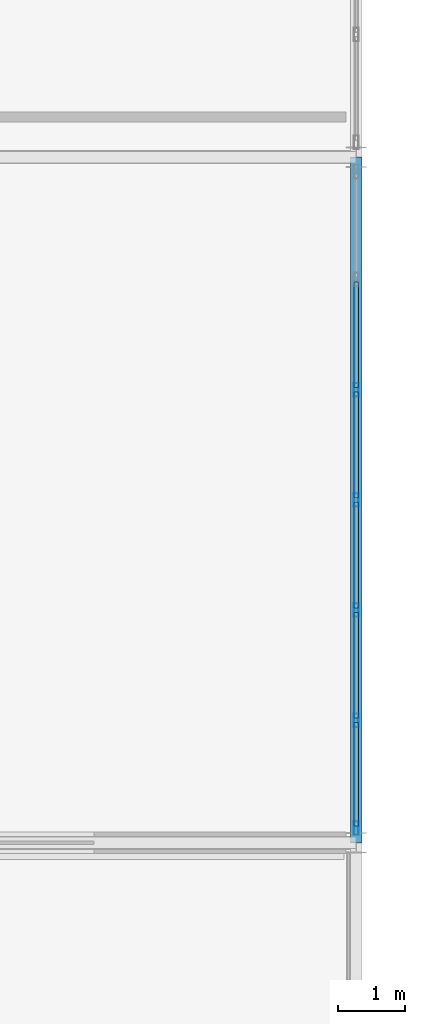
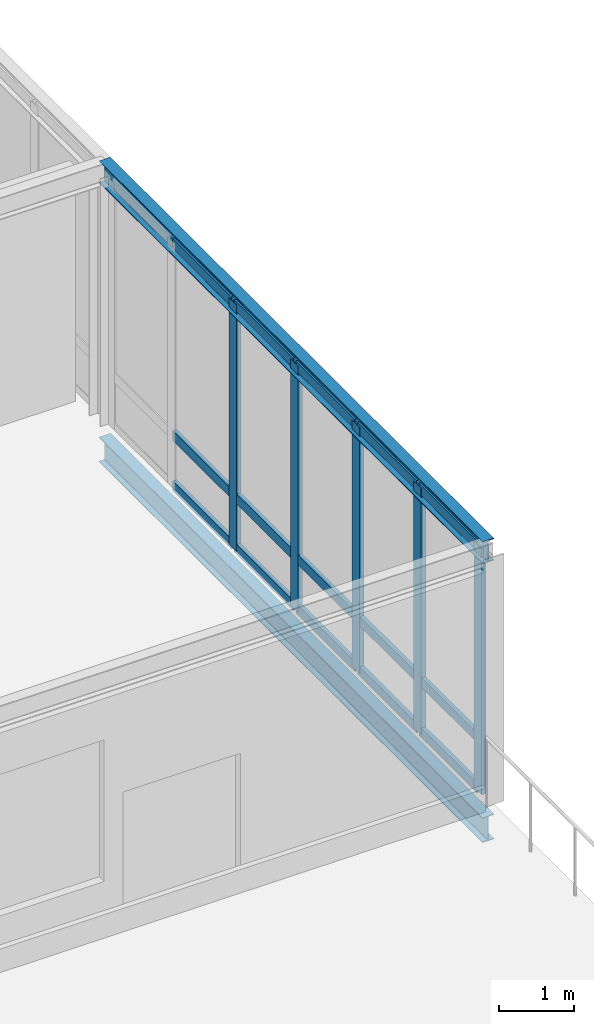
# One storey, part 128 of 185: 20 members, 2 beams, 1 element without a shape of its own.
"""IFC4 building model written with IfcOpenShell, lengths in metres."""

from ifc_helpers import new_model, si_unit, direction, frame, origin, origin_2d, place, context, subcontext, project, spatial, hollow_rectangle, i_section, extrude, material, material_profile, profile_set, type_object, element, aggregate, save


model = new_model("IFC4")

# Units and contexts
model_context = context("Model", 3, precision=1e-05, world=origin(), true_north=direction((0.0, 1.0)))
body_context = subcontext(model_context, "Body", "Model", "MODEL_VIEW")
ifc_project = project(units=[si_unit("LENGTHUNIT", "METRE"), si_unit("AREAUNIT", "SQUARE_METRE"), si_unit("VOLUMEUNIT", "CUBIC_METRE"), si_unit("PLANEANGLEUNIT", "RADIAN"), si_unit("MASSUNIT", "GRAM", prefix="KILO")], contexts=[model_context])

# Site, building, storey
site_placement = place(None, origin())
site = spatial("IfcSite", under=ifc_project, at=site_placement, CompositionType="ELEMENT")
building_placement = place(site_placement, origin())
building = spatial("IfcBuilding", under=site, at=building_placement, Name="Vondelvale Polytechnic", CompositionType="ELEMENT")
storey_placement = place(building_placement, frame((0.0, 0.0, 9.60009765625)))
storey = spatial("IfcBuildingStorey", under=building, at=storey_placement, Name="L02", CompositionType="ELEMENT", Elevation=9.60009765625)

# Beams
ifc_material_1 = material(Name="Steel 300PLUS (fy = 300 MPa)", Category="steel")
ifc_material_profile_1 = material_profile(ifc_material_1, i_section(OverallWidth=0.172119140625, OverallDepth=0.35888671875, WebThickness=0.008056640625, FlangeThickness=0.012939453125, FilletRadius=0.011474609375, at=origin_2d()), Name="360UB56.7")
ifc_profile_set_1 = profile_set([ifc_material_profile_1], Name="Steel 300PLUS (fy = 300 MPa)")
beam_type_1 = type_object("IfcBeamType", Name="BM-UB360H", PredefinedType="BEAM", material=ifc_profile_set_1)
beam_1_placement = place(storey_placement, frame((172.800048828125, 71.39990234375, 4.0205078125), z_axis=(0.0, 1.0, 0.0), x_axis=(-1.0, 0.0, 0.0)))
element("IfcBeam", 1, at=beam_1_placement, inside=storey, type_object=beam_type_1, Name="L02 RM B-15", PredefinedType="BEAM", context=body_context, shape_type="SweptSolid", body=[
    extrude(i_section(OverallWidth=0.172119140625, OverallDepth=0.35888671875, WebThickness=0.008056640625, FlangeThickness=0.012939453125, FilletRadius=0.011474609375, at=origin_2d()), origin(), (0.0, 0.0, 1.0), 10.2001953125),
])
ifc_material_profile_2 = material_profile(ifc_material_1, i_section(OverallWidth=0.177978515625, OverallDepth=0.406005859375, WebThickness=0.0078125, FlangeThickness=0.0126953125, FilletRadius=0.011474609375, at=origin_2d()), Name="410UB59.7")
ifc_profile_set_2 = profile_set([ifc_material_profile_2], Name="Steel 300PLUS (fy = 300 MPa)")
beam_type_2 = type_object("IfcBeamType", Name="BM-UB410", PredefinedType="BEAM", material=ifc_profile_set_2)
beam_2_placement = place(storey_placement, frame((172.800048828125, 71.39990234375, -0.483154296875), z_axis=(0.0, 1.0, 0.0), x_axis=(-1.0, 0.0, 0.0)))
element("IfcBeam", 2, at=beam_2_placement, inside=storey, type_object=beam_type_2, Name="L02 B B-14", PredefinedType="BEAM", context=body_context, shape_type="SweptSolid", body=[
    extrude(i_section(OverallWidth=0.177978515625, OverallDepth=0.406005859375, WebThickness=0.0078125, FlangeThickness=0.0126953125, FilletRadius=0.011474609375, at=origin_2d()), origin(), (0.0, 0.0, 1.0), 10.2001953125),
])

# Curtain wall, members
ifc_material_2 = material(Name="Anodised extruded aluminium 6063-T6", Category="aluminium")
curtain_wall_type = type_object("IfcCurtainWallType", Name="CW-REFECTORY", PredefinedType="NOTDEFINED", material=ifc_material_2)
curtain_wall_placement = place(storey_placement, origin())
curtain_wall = element("IfcCurtainWall", 3, at=curtain_wall_placement, inside=storey, type_object=curtain_wall_type, Name="L02 architectural curtain wall CW-05-393", PredefinedType="NOTDEFINED")
ifc_material_profile_3 = material_profile(ifc_material_2, hollow_rectangle(XDim=0.070068359375, YDim=0.199951171875, WallThickness=0.00390625, at=origin_2d()), Name="CW-MUL-200x70")
ifc_profile_set_3 = profile_set([ifc_material_profile_3], Name="Anodised extruded aluminium 6063-T6")
member_type_1 = type_object("IfcMemberType", Name="CW-MUL-70x200", PredefinedType="MULLION", material=ifc_profile_set_3)
member_1_placement = place(storey_placement, frame((172.800048828125, 71.618896484375, 0.0), z_axis=(0.0, 0.0, 1.0), x_axis=(-1.0, 0.0, 0.0)))
member_1 = element("IfcMember", 4, at=member_1_placement, type_object=member_type_1, Name="CW-05-393 mullion 1", PredefinedType="MULLION", context=body_context, shape_type="SweptSolid", body=[
    extrude(hollow_rectangle(XDim=0.070068359375, YDim=0.199951171875, WallThickness=0.00390625, at=origin_2d()), origin(), (0.0, 0.0, 1.0), 4.0),
])
member_2_placement = place(storey_placement, frame((172.800048828125, 73.22265625, 0.0), z_axis=(0.0, 0.0, 1.0), x_axis=(-1.0, 0.0, 0.0)))
member_2 = element("IfcMember", 5, at=member_2_placement, type_object=member_type_1, Name="CW-05-393 mullion 2", PredefinedType="MULLION", context=body_context, shape_type="SweptSolid", body=[
    extrude(hollow_rectangle(XDim=0.070068359375, YDim=0.199951171875, WallThickness=0.00390625, at=origin_2d()), origin(), (0.0, 0.0, 1.0), 4.0),
])
member_3_placement = place(storey_placement, frame((172.800048828125, 74.861328125, 0.0), z_axis=(0.0, 0.0, 1.0), x_axis=(-1.0, 0.0, 0.0)))
member_3 = element("IfcMember", 6, at=member_3_placement, type_object=member_type_1, Name="CW-05-393 mullion 3", PredefinedType="MULLION", context=body_context, shape_type="SweptSolid", body=[
    extrude(hollow_rectangle(XDim=0.070068359375, YDim=0.199951171875, WallThickness=0.00390625, at=origin_2d()), origin(), (0.0, 0.0, 1.0), 4.0),
])
member_4_placement = place(storey_placement, frame((172.800048828125, 76.5, 0.0), z_axis=(0.0, 0.0, 1.0), x_axis=(-1.0, 0.0, 0.0)))
member_4 = element("IfcMember", 7, at=member_4_placement, type_object=member_type_1, Name="CW-05-393 mullion 4", PredefinedType="MULLION", context=body_context, shape_type="SweptSolid", body=[
    extrude(hollow_rectangle(XDim=0.070068359375, YDim=0.199951171875, WallThickness=0.00390625, at=origin_2d()), origin(), (0.0, 0.0, 1.0), 4.0),
])
member_5_placement = place(storey_placement, frame((172.800048828125, 78.138671875, 0.0), z_axis=(0.0, 0.0, 1.0), x_axis=(-1.0, 0.0, 0.0)))
member_5 = element("IfcMember", 8, at=member_5_placement, type_object=member_type_1, Name="CW-05-393 mullion 5", PredefinedType="MULLION", context=body_context, shape_type="SweptSolid", body=[
    extrude(hollow_rectangle(XDim=0.070068359375, YDim=0.199951171875, WallThickness=0.00390625, at=origin_2d()), origin(), (0.0, 0.0, 1.0), 4.0),
])
ifc_material_profile_4 = material_profile(ifc_material_2, hollow_rectangle(XDim=0.06494140625, YDim=0.159912109375, WallThickness=0.00341796875, at=origin_2d()), Name="CW-TRN-160x65")
ifc_profile_set_4 = profile_set([ifc_material_profile_4], Name="Anodised extruded aluminium 6063-T6")
member_type_2 = type_object("IfcMemberType", Name="CW-TRN-70x160", PredefinedType="USERDEFINED", material=ifc_profile_set_4)
member_6_placement = place(storey_placement, frame((172.800048828125, 71.654052734375, 0.032470703125), z_axis=(0.0, 1.0, 0.0), x_axis=(-1.0, 0.0, 0.0)))
member_6 = element("IfcMember", 9, at=member_6_placement, type_object=member_type_2, Name="CW-05-393 transom 1.1", ObjectType="TRANSOM", PredefinedType="USERDEFINED", context=body_context, shape_type="SweptSolid", body=[
    extrude(hollow_rectangle(XDim=0.06494140625, YDim=0.159912109375, WallThickness=0.00341796875, at=origin_2d()), origin(), (0.0, 0.0, 1.0), 1.53369140625),
])
member_7_placement = place(storey_placement, frame((172.800048828125, 71.654052734375, 0.849853515625), z_axis=(0.0, 1.0, 0.0), x_axis=(-1.0, 0.0, 0.0)))
member_7 = element("IfcMember", 10, at=member_7_placement, type_object=member_type_2, Name="CW-05-393 transom 1.2", ObjectType="TRANSOM", PredefinedType="USERDEFINED", context=body_context, shape_type="SweptSolid", body=[
    extrude(hollow_rectangle(XDim=0.06494140625, YDim=0.159912109375, WallThickness=0.00341796875, at=origin_2d()), origin(), (0.0, 0.0, 1.0), 1.53369140625),
])
member_8_placement = place(storey_placement, frame((172.800048828125, 71.654052734375, 3.96728515625), z_axis=(0.0, 1.0, 0.0), x_axis=(-1.0, 0.0, 0.0)))
member_8 = element("IfcMember", 11, at=member_8_placement, type_object=member_type_2, Name="CW-05-393 transom 1.3", ObjectType="TRANSOM", PredefinedType="USERDEFINED", context=body_context, shape_type="SweptSolid", body=[
    extrude(hollow_rectangle(XDim=0.06494140625, YDim=0.159912109375, WallThickness=0.00341796875, at=origin_2d()), origin(), (0.0, 0.0, 1.0), 1.53369140625),
])
member_9_placement = place(storey_placement, frame((172.800048828125, 73.257568359375, 0.032470703125), z_axis=(0.0, 1.0, 0.0), x_axis=(-1.0, 0.0, 0.0)))
member_9 = element("IfcMember", 12, at=member_9_placement, type_object=member_type_2, Name="CW-05-393 transom 2.1", ObjectType="TRANSOM", PredefinedType="USERDEFINED", context=body_context, shape_type="SweptSolid", body=[
    extrude(hollow_rectangle(XDim=0.06494140625, YDim=0.159912109375, WallThickness=0.00341796875, at=origin_2d()), origin(), (0.0, 0.0, 1.0), 1.56884765625),
])
member_10_placement = place(storey_placement, frame((172.800048828125, 73.257568359375, 0.849853515625), z_axis=(0.0, 1.0, 0.0), x_axis=(-1.0, 0.0, 0.0)))
member_10 = element("IfcMember", 13, at=member_10_placement, type_object=member_type_2, Name="CW-05-393 transom 2.2", ObjectType="TRANSOM", PredefinedType="USERDEFINED", context=body_context, shape_type="SweptSolid", body=[
    extrude(hollow_rectangle(XDim=0.06494140625, YDim=0.159912109375, WallThickness=0.00341796875, at=origin_2d()), origin(), (0.0, 0.0, 1.0), 1.56884765625),
])
member_11_placement = place(storey_placement, frame((172.800048828125, 73.257568359375, 3.96728515625), z_axis=(0.0, 1.0, 0.0), x_axis=(-1.0, 0.0, 0.0)))
member_11 = element("IfcMember", 14, at=member_11_placement, type_object=member_type_2, Name="CW-05-393 transom 2.3", ObjectType="TRANSOM", PredefinedType="USERDEFINED", context=body_context, shape_type="SweptSolid", body=[
    extrude(hollow_rectangle(XDim=0.06494140625, YDim=0.159912109375, WallThickness=0.00341796875, at=origin_2d()), origin(), (0.0, 0.0, 1.0), 1.56884765625),
])
member_12_placement = place(storey_placement, frame((172.800048828125, 74.896240234375, 0.032470703125), z_axis=(0.0, 1.0, 0.0), x_axis=(-1.0, 0.0, 0.0)))
member_12 = element("IfcMember", 15, at=member_12_placement, type_object=member_type_2, Name="CW-05-393 transom 3.1", ObjectType="TRANSOM", PredefinedType="USERDEFINED", context=body_context, shape_type="SweptSolid", body=[
    extrude(hollow_rectangle(XDim=0.06494140625, YDim=0.159912109375, WallThickness=0.00341796875, at=origin_2d()), origin(), (0.0, 0.0, 1.0), 1.56884765625),
])
member_13_placement = place(storey_placement, frame((172.800048828125, 74.896240234375, 0.849853515625), z_axis=(0.0, 1.0, 0.0), x_axis=(-1.0, 0.0, 0.0)))
member_13 = element("IfcMember", 16, at=member_13_placement, type_object=member_type_2, Name="CW-05-393 transom 3.2", ObjectType="TRANSOM", PredefinedType="USERDEFINED", context=body_context, shape_type="SweptSolid", body=[
    extrude(hollow_rectangle(XDim=0.06494140625, YDim=0.159912109375, WallThickness=0.00341796875, at=origin_2d()), origin(), (0.0, 0.0, 1.0), 1.56884765625),
])
member_14_placement = place(storey_placement, frame((172.800048828125, 74.896240234375, 3.96728515625), z_axis=(0.0, 1.0, 0.0), x_axis=(-1.0, 0.0, 0.0)))
member_14 = element("IfcMember", 17, at=member_14_placement, type_object=member_type_2, Name="CW-05-393 transom 3.3", ObjectType="TRANSOM", PredefinedType="USERDEFINED", context=body_context, shape_type="SweptSolid", body=[
    extrude(hollow_rectangle(XDim=0.06494140625, YDim=0.159912109375, WallThickness=0.00341796875, at=origin_2d()), origin(), (0.0, 0.0, 1.0), 1.56884765625),
])
member_15_placement = place(storey_placement, frame((172.800048828125, 76.534912109375, 0.032470703125), z_axis=(0.0, 1.0, 0.0), x_axis=(-1.0, 0.0, 0.0)))
member_15 = element("IfcMember", 18, at=member_15_placement, type_object=member_type_2, Name="CW-05-393 transom 4.1", ObjectType="TRANSOM", PredefinedType="USERDEFINED", context=body_context, shape_type="SweptSolid", body=[
    extrude(hollow_rectangle(XDim=0.06494140625, YDim=0.159912109375, WallThickness=0.00341796875, at=origin_2d()), origin(), (0.0, 0.0, 1.0), 1.56884765625),
])
member_16_placement = place(storey_placement, frame((172.800048828125, 76.534912109375, 0.849853515625), z_axis=(0.0, 1.0, 0.0), x_axis=(-1.0, 0.0, 0.0)))
member_16 = element("IfcMember", 19, at=member_16_placement, type_object=member_type_2, Name="CW-05-393 transom 4.2", ObjectType="TRANSOM", PredefinedType="USERDEFINED", context=body_context, shape_type="SweptSolid", body=[
    extrude(hollow_rectangle(XDim=0.06494140625, YDim=0.159912109375, WallThickness=0.00341796875, at=origin_2d()), origin(), (0.0, 0.0, 1.0), 1.56884765625),
])
member_17_placement = place(storey_placement, frame((172.800048828125, 76.534912109375, 3.96728515625), z_axis=(0.0, 1.0, 0.0), x_axis=(-1.0, 0.0, 0.0)))
member_17 = element("IfcMember", 20, at=member_17_placement, type_object=member_type_2, Name="CW-05-393 transom 4.3", ObjectType="TRANSOM", PredefinedType="USERDEFINED", context=body_context, shape_type="SweptSolid", body=[
    extrude(hollow_rectangle(XDim=0.06494140625, YDim=0.159912109375, WallThickness=0.00341796875, at=origin_2d()), origin(), (0.0, 0.0, 1.0), 1.56884765625),
])
member_18_placement = place(storey_placement, frame((172.800048828125, 78.173583984375, 0.032470703125), z_axis=(0.0, 1.0, 0.0), x_axis=(-1.0, 0.0, 0.0)))
member_18 = element("IfcMember", 21, at=member_18_placement, type_object=member_type_2, Name="CW-05-393 transom 5.1", ObjectType="TRANSOM", PredefinedType="USERDEFINED", context=body_context, shape_type="SweptSolid", body=[
    extrude(hollow_rectangle(XDim=0.06494140625, YDim=0.159912109375, WallThickness=0.00341796875, at=origin_2d()), origin(), (0.0, 0.0, 1.0), 1.56884765625),
])
member_19_placement = place(storey_placement, frame((172.800048828125, 78.173583984375, 0.849853515625), z_axis=(0.0, 1.0, 0.0), x_axis=(-1.0, 0.0, 0.0)))
member_19 = element("IfcMember", 22, at=member_19_placement, type_object=member_type_2, Name="CW-05-393 transom 5.2", ObjectType="TRANSOM", PredefinedType="USERDEFINED", context=body_context, shape_type="SweptSolid", body=[
    extrude(hollow_rectangle(XDim=0.06494140625, YDim=0.159912109375, WallThickness=0.00341796875, at=origin_2d()), origin(), (0.0, 0.0, 1.0), 1.56884765625),
])
member_20_placement = place(storey_placement, frame((172.800048828125, 78.173583984375, 3.96728515625), z_axis=(0.0, 1.0, 0.0), x_axis=(-1.0, 0.0, 0.0)))
member_20 = element("IfcMember", 23, at=member_20_placement, type_object=member_type_2, Name="CW-05-393 transom 5.3", ObjectType="TRANSOM", PredefinedType="USERDEFINED", context=body_context, shape_type="SweptSolid", body=[
    extrude(hollow_rectangle(XDim=0.06494140625, YDim=0.159912109375, WallThickness=0.00341796875, at=origin_2d()), origin(), (0.0, 0.0, 1.0), 1.56884765625),
])
aggregate(curtain_wall, [member_1, member_2, member_3, member_4, member_5, member_6, member_7, member_8, member_9, member_10, member_11, member_12, member_13, member_14, member_15, member_16, member_17, member_18, member_19, member_20])

save(model, "model.ifc")
